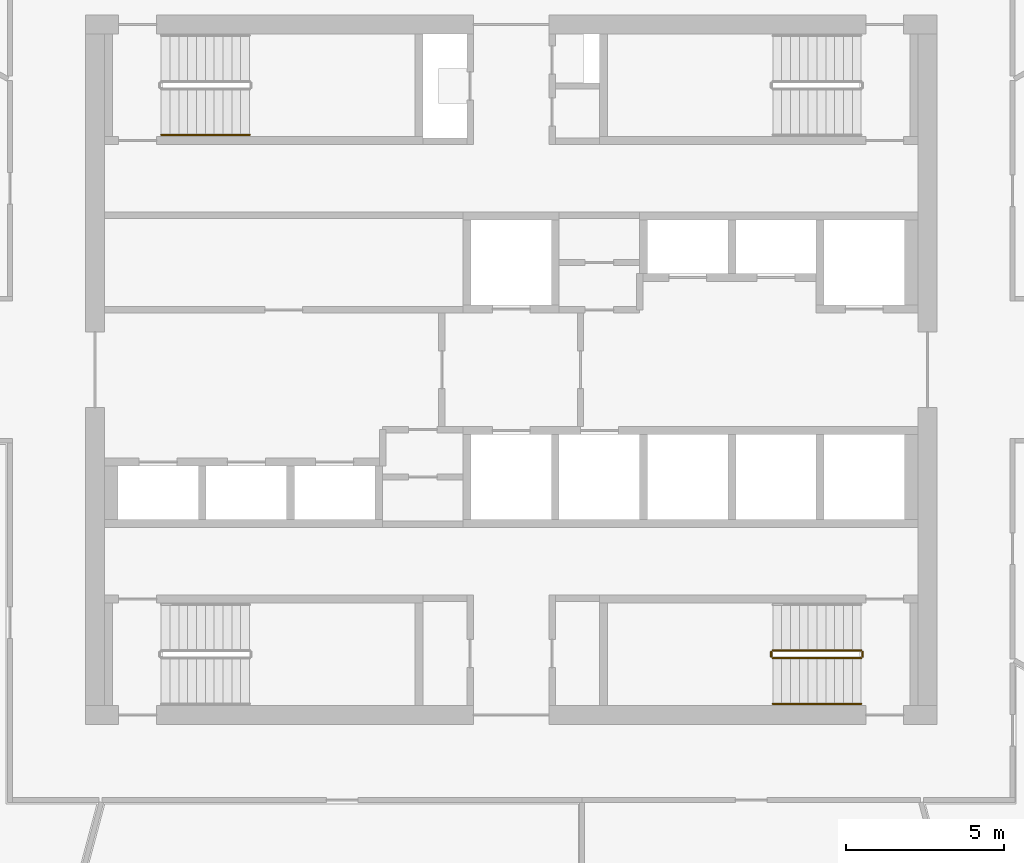
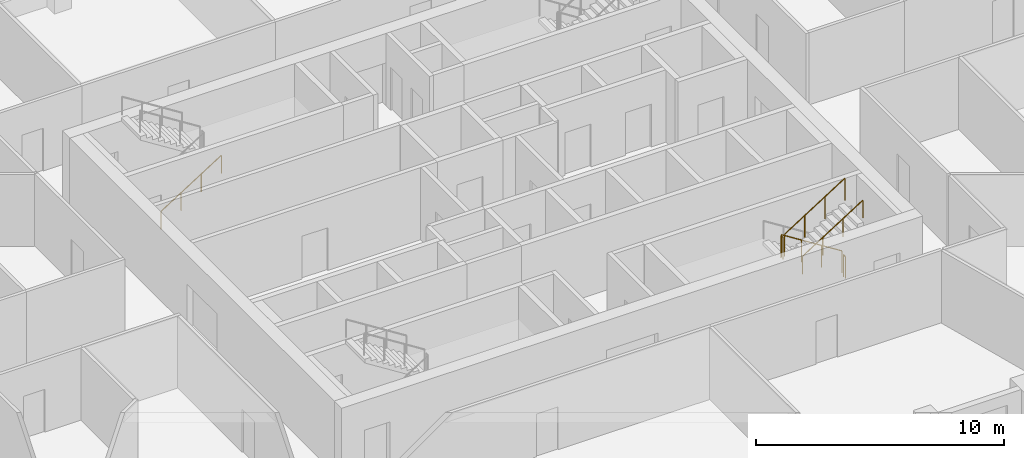
# One storey, part 9 of 11: 6 railings.
"""IFC4 building model written with IfcOpenShell, lengths in metres."""

import ifcopenshell
import ifcopenshell.guid

model = None  # the IFC model being written
_history = None  # IfcOwnerHistory: only IFC2X3 demands one
_inside = {}  # id of a spatial element -> (the spatial element, [elements in it])
_under = {}  # id of a project, library or spatial element -> (it, [spatial elements below it])
_declared = {}  # id of a project -> (the project, [libraries it declares])
_typed = {}  # id of a type object -> (the type object, [elements of that type])
_made_of = {}  # id of a material, layer set ... -> (it, [elements and type objects made of it])


def new_model(schema):
    """Start an empty IFC model of exactly this schema.

    Asked for "IFC4X3", IfcOpenShell would pick the latest addendum, in which some entities
    have other attributes; the version numbers below select the first issue.
    IFC2X3 requires an IfcOwnerHistory on every rooted entity: one is made here for all.
    """
    global model, _history
    if schema == "IFC4X3":
        model = ifcopenshell.file(schema_version=(4, 3, 0, 0))
    else:
        model = ifcopenshell.file(schema=schema)
    _inside.clear()
    _under.clear()
    _declared.clear()
    _typed.clear()
    _made_of.clear()
    _history = None
    if model.schema == "IFC2X3":
        org = make("IfcOrganization", Name="unknown")
        user = make(
            "IfcPersonAndOrganization",
            ThePerson=make("IfcPerson", FamilyName="unknown"),
            TheOrganization=org,
        )
        app = make(
            "IfcApplication",
            ApplicationDeveloper=org,
            Version="unknown",
            ApplicationFullName="unknown",
            ApplicationIdentifier="unknown",
        )
        _history = make(
            "IfcOwnerHistory",
            OwningUser=user,
            OwningApplication=app,
            ChangeAction="ADDED",
            CreationDate=0,
        )
    return model


def make(cls, **values):
    """One entity of the class cls with the attributes given. An attribute that is None is left unset."""
    return model.create_entity(
        cls, **{name: value for name, value in values.items() if value is not None}
    )


def rooted(cls, **values):
    """An entity with a GlobalId (a new one), such as an element, a storey or a relation."""
    return make(cls, GlobalId=ifcopenshell.guid.new(), OwnerHistory=_history, **values)


def si_unit(unit_type, name, prefix=None):
    """IfcSIUnit, for example si_unit("LENGTHUNIT", "METRE", prefix="MILLI")."""
    return make("IfcSIUnit", UnitType=unit_type, Prefix=prefix, Name=name)


def assignment(units):
    """IfcUnitAssignment: the units of a project."""
    return None if units is None else make("IfcUnitAssignment", Units=units)


def point(xyz):
    """IfcCartesianPoint."""
    return None if xyz is None else make("IfcCartesianPoint", Coordinates=xyz)


def direction(xyz):
    """IfcDirection."""
    return None if xyz is None else make("IfcDirection", DirectionRatios=xyz)


def frame(location, z_axis=None, x_axis=None):
    """IfcAxis2Placement3D, a coordinate frame: its origin and axes. An axis left out is left unset."""
    return make(
        "IfcAxis2Placement3D",
        Location=point(location),
        Axis=direction(z_axis),
        RefDirection=direction(x_axis),
    )


def frame_2d(location, x_axis=None):
    """IfcAxis2Placement2D, a coordinate frame in the plane: its origin and x axis."""
    return make(
        "IfcAxis2Placement2D", Location=point(location), RefDirection=direction(x_axis)
    )


def origin():
    """The frame at (0, 0, 0) with its axes left unset."""
    return frame((0.0, 0.0, 0.0))


def origin_2d():
    """The frame at (0, 0) in the plane with its x axis left unset."""
    return frame_2d((0.0, 0.0))


def place(relative_to, where):
    """IfcLocalPlacement: puts the frame where relative to a parent placement (None: the world)."""
    return make(
        "IfcLocalPlacement", PlacementRelTo=relative_to, RelativePlacement=where
    )


def context(
    kind, dimensions, precision=None, world=None, true_north=None, identifier=None
):
    """IfcGeometricRepresentationContext, for example the 3D "Model" context."""
    return make(
        "IfcGeometricRepresentationContext",
        ContextIdentifier=identifier,
        ContextType=kind,
        CoordinateSpaceDimension=dimensions,
        Precision=precision,
        WorldCoordinateSystem=world,
        TrueNorth=true_north,
    )


def subcontext(parent, identifier, kind, view, scale=None):
    """IfcGeometricRepresentationSubContext, for example "Body" below "Model"."""
    return make(
        "IfcGeometricRepresentationSubContext",
        ContextIdentifier=identifier,
        ContextType=kind,
        ParentContext=parent,
        TargetScale=scale,
        TargetView=view,
    )


def project(units=None, contexts=None):
    """IfcProject with its units and contexts."""
    return rooted(
        "IfcProject",
        Name="project",
        RepresentationContexts=contexts,
        UnitsInContext=assignment(units),
    )


def spatial(cls, under=None, at=None, **own):
    """A site, building, storey or space (cls), placed at a placement, below another one or the project."""
    s = rooted(cls, ObjectPlacement=at, **own)
    if under is not None:
        _under.setdefault(under.id(), (under, []))[1].append(s)
    return s


def profile(cls, at=None, kind="AREA", **sizes):
    """A parametric profile (cls). Its sizes go by their IFC names, for example OverallWidth=200.0."""
    return make(cls, ProfileType=kind, Position=at, **sizes)


def circle(**sizes):
    """IfcCircleProfileDef."""
    return profile("IfcCircleProfileDef", **sizes)


def extrude(swept, where, along, depth):
    """IfcExtrudedAreaSolid: the profile swept, set in the frame where, extruded along a direction by depth."""
    return make(
        "IfcExtrudedAreaSolid",
        SweptArea=swept,
        Position=where,
        ExtrudedDirection=direction(along),
        Depth=depth,
    )


def shape(context_of_items, identifier, shape_type, items):
    """IfcShapeRepresentation: the items that make up one representation, for example the "Body"."""
    return make(
        "IfcShapeRepresentation",
        ContextOfItems=context_of_items,
        RepresentationIdentifier=identifier,
        RepresentationType=shape_type,
        Items=items,
    )


def material(Name=None, Category=None):
    """IfcMaterial."""
    return make("IfcMaterial", Name=Name, Category=Category)


def made_of(thing, what):
    """Note that an element or type object is made of a material, layer set ...; save() writes the relation."""
    if what is not None:
        _made_of.setdefault(what.id(), (what, []))[1].append(thing)
    return thing


def type_object(cls, material=None, **own):
    """A type object (cls), such as IfcWallType, which elements share."""
    return made_of(rooted(cls, **own), material)


def element(
    cls,
    number,
    at=None,
    inside=None,
    cuts=None,
    type_object=None,
    material=None,
    context=None,
    identifier="Body",
    shape_type=None,
    held_by="IfcProductDefinitionShape",
    body=None,
    shapes=None,
    **own,
):
    """One element of the class cls, such as IfcWall. Its Tag is "e" and its number.

    at: its placement. inside: the storey or other place that contains it. cuts: it is an
    opening in that element (IfcRelVoidsElement). A single representation is given by context,
    identifier, shape_type and body (its items); several are given by shapes. held_by: the class
    of the entity that holds the representations. save() writes the other relations.
    """
    e = rooted(cls, Tag="e%d" % number, ObjectPlacement=at, **own)
    if body is not None:
        shapes = [shape(context, identifier, shape_type, body)]
    if shapes is not None:
        e.Representation = make(held_by, Representations=shapes)
    if inside is not None:
        _inside.setdefault(inside.id(), (inside, []))[1].append(e)
    if cuts is not None:
        rooted(
            "IfcRelVoidsElement", RelatingBuildingElement=cuts, RelatedOpeningElement=e
        )
    if type_object is not None:
        _typed.setdefault(type_object.id(), (type_object, []))[1].append(e)
    return made_of(e, material)


def aggregate(whole, parts):
    """IfcRelAggregates: a whole, such as a stair, and the parts it consists of."""
    return rooted("IfcRelAggregates", RelatingObject=whole, RelatedObjects=parts)


def save(model, path):
    """Write the relations noted so far, then the file.

    IfcRelAggregates (storeys below a building ...), IfcRelContainedInSpatialStructure (elements
    in a storey), IfcRelDefinesByType, IfcRelAssociatesMaterial and IfcRelDeclares: one each for
    every whole, place, type object, material and project.
    """
    for whole, parts in _under.values():
        aggregate(whole, parts)
    for where, things in _inside.values():
        rooted(
            "IfcRelContainedInSpatialStructure",
            RelatedElements=things,
            RelatingStructure=where,
        )
    for kind, things in _typed.values():
        rooted("IfcRelDefinesByType", RelatedObjects=things, RelatingType=kind)
    for what, things in _made_of.values():
        rooted("IfcRelAssociatesMaterial", RelatedObjects=things, RelatingMaterial=what)
    for by, libraries in _declared.values():
        rooted("IfcRelDeclares", RelatingContext=by, RelatedDefinitions=libraries)
    model.write(path)


model = new_model("IFC4")

# Units and contexts
model_context = context("Model", 3, precision=1e-05, world=origin(), true_north=direction((0.0, 1.0)))
body_context = subcontext(model_context, "Body", "Model", "MODEL_VIEW")
ifc_project = project(units=[si_unit("LENGTHUNIT", "METRE"), si_unit("AREAUNIT", "SQUARE_METRE"), si_unit("VOLUMEUNIT", "CUBIC_METRE"), si_unit("PLANEANGLEUNIT", "RADIAN"), si_unit("MASSUNIT", "GRAM", prefix="KILO")], contexts=[model_context])

# Site, building, storey
site_placement = place(None, origin())
site = spatial("IfcSite", under=ifc_project, at=site_placement, CompositionType="ELEMENT")
building_placement = place(site_placement, origin())
building = spatial("IfcBuilding", under=site, at=building_placement, Name="Dhurran Vertical Campus", CompositionType="ELEMENT")
storey_placement = place(building_placement, frame((0.0, 0.0, 211.199951171875)))
storey = spatial("IfcBuildingStorey", under=building, at=storey_placement, Name="L52", CompositionType="ELEMENT", Elevation=211.199951171875)

# Railings
ifc_material_1 = material(Name="Stainless steel balustrade", Category="steel")
railing_type_1 = type_object("IfcRailingType", Name="co-RL-GUARD-1100", PredefinedType="GUARDRAIL", material=ifc_material_1)
railing_1_placement = place(storey_placement, frame((11.10009765625, -8.89990234375, 0.17724609375)))
element("IfcRailing", 1, at=railing_1_placement, inside=storey, type_object=railing_type_1, Name="L52 ST4 stair guard 1", PredefinedType="GUARDRAIL", context=body_context, shape_type="SweptSolid", body=[
    extrude(circle(Radius=0.02392578125, at=origin_2d()), frame((0.0, 0.0, 1.076171875), z_axis=(-0.844908973607, 0.0, 0.534910110503), x_axis=(0.0, -1.0, 0.0)), (0.0, 0.0, 1.0), 3.31396484375),
    extrude(circle(Radius=0.02099609375, at=origin_2d()), origin(), (0.0, 0.0, 1.0), 1.052001953125),
    extrude(circle(Radius=0.02099609375, at=origin_2d()), frame((-0.933349609375, 0.0, 0.5908203125)), (0.0, 0.0, 1.0), 1.052001953125),
    extrude(circle(Radius=0.02099609375, at=origin_2d()), frame((-1.86669921875, 0.0, 1.181884765625)), (0.0, 0.0, 1.0), 1.052001953125),
    extrude(circle(Radius=0.02099609375, at=origin_2d()), frame((-2.800048828125, 0.0, 1.772705078125)), (0.0, 0.0, 1.0), 1.052001953125),
])
railing_2_placement = place(storey_placement, frame((8.25, -8.949951171875, 1.949951171875)))
element("IfcRailing", 2, at=railing_2_placement, inside=storey, type_object=railing_type_1, Name="L52 ST4 stair guard 2", PredefinedType="GUARDRAIL", context=body_context, shape_type="SweptSolid", body=[
    extrude(circle(Radius=0.02392578125, at=origin_2d()), frame((0.0, 0.0, 1.076171875), z_axis=(0.0, -1.0, 0.0), x_axis=(1.0, 0.0, 0.0)), (0.0, 0.0, 1.0), 0.150146484375),
    extrude(circle(Radius=0.02099609375, at=origin_2d()), origin(), (0.0, 0.0, 1.0), 1.052001953125),
    extrude(circle(Radius=0.02099609375, at=origin_2d()), frame((0.0, -0.150146484375, 0.0)), (0.0, 0.0, 1.0), 1.052001953125),
])
railing_3_placement = place(storey_placement, frame((8.300048828125, -9.14990234375, 2.12744140625)))
element("IfcRailing", 3, at=railing_3_placement, inside=storey, type_object=railing_type_1, Name="L52 ST4 stair guard 3", PredefinedType="GUARDRAIL", context=body_context, shape_type="SweptSolid", body=[
    extrude(circle(Radius=0.02392578125, at=origin_2d()), frame((0.0, 0.0, 1.076171875), z_axis=(0.844908973607, 0.0, 0.534910110503), x_axis=(0.0, 1.0, 0.0)), (0.0, 0.0, 1.0), 3.31396484375),
    extrude(circle(Radius=0.02099609375, at=origin_2d()), origin(), (0.0, 0.0, 1.0), 1.052001953125),
    extrude(circle(Radius=0.02099609375, at=origin_2d()), frame((0.933349609375, 0.0, 0.5908203125)), (0.0, 0.0, 1.0), 1.052001953125),
    extrude(circle(Radius=0.02099609375, at=origin_2d()), frame((1.86669921875, 0.0, 1.181884765625)), (0.0, 0.0, 1.0), 1.052001953125),
    extrude(circle(Radius=0.02099609375, at=origin_2d()), frame((2.800048828125, 0.0, 1.772705078125)), (0.0, 0.0, 1.0), 1.052001953125),
])
railing_4_placement = place(storey_placement, frame((11.14990234375, -8.949951171875, 0.0)))
element("IfcRailing", 4, at=railing_4_placement, inside=storey, type_object=railing_type_1, Name="L52 ST4 stair guard 4", PredefinedType="GUARDRAIL", context=body_context, shape_type="SweptSolid", body=[
    extrude(circle(Radius=0.02392578125, at=origin_2d()), frame((0.0, 0.0, 1.076171875), z_axis=(0.0, -1.0, 0.0), x_axis=(1.0, 0.0, 0.0)), (0.0, 0.0, 1.0), 0.150146484375),
    extrude(circle(Radius=0.02099609375, at=origin_2d()), origin(), (0.0, 0.0, 1.0), 1.052001953125),
    extrude(circle(Radius=0.02099609375, at=origin_2d()), frame((0.0, -0.150146484375, 0.0)), (0.0, 0.0, 1.0), 1.052001953125),
])
ifc_material_2 = material(Name="Stainless steel handrail", Category="steel")
railing_type_2 = type_object("IfcRailingType", Name="co-RL-HANDRAIL-900", PredefinedType="HANDRAIL", material=ifc_material_2)
for number, where, name in (
    (5, (-11.10009765625, 7.449951171875, 0.17724609375), "L52 ST1 stair handrail 1"),
    (6, (8.300048828125, -10.60009765625, 2.12744140625), "L52 ST4 stair handrail 2"),
):
    element("IfcRailing", number, at=place(storey_placement, frame(where)), inside=storey, type_object=railing_type_2, Name=name, PredefinedType="HANDRAIL", context=body_context, shape_type="SweptSolid", body=[
        extrude(circle(Radius=0.02392578125, at=origin_2d()), frame((0.0, 0.0, 0.8759765625), z_axis=(0.844908973607, 0.0, 0.534910110503), x_axis=(0.0, 1.0, 0.0)), (0.0, 0.0, 1.0), 3.31396484375),
        extrude(circle(Radius=0.02099609375, at=origin_2d()), origin(), (0.0, 0.0, 1.0), 0.851806640625),
        extrude(circle(Radius=0.02099609375, at=origin_2d()), frame((0.933349609375, 0.0, 0.5908203125)), (0.0, 0.0, 1.0), 0.851806640625),
        extrude(circle(Radius=0.02099609375, at=origin_2d()), frame((1.86669921875, 0.0, 1.181884765625)), (0.0, 0.0, 1.0), 0.851806640625),
        extrude(circle(Radius=0.02099609375, at=origin_2d()), frame((2.800048828125, 0.0, 1.772705078125)), (0.0, 0.0, 1.0), 0.851806640625),
    ])

save(model, "model.ifc")
